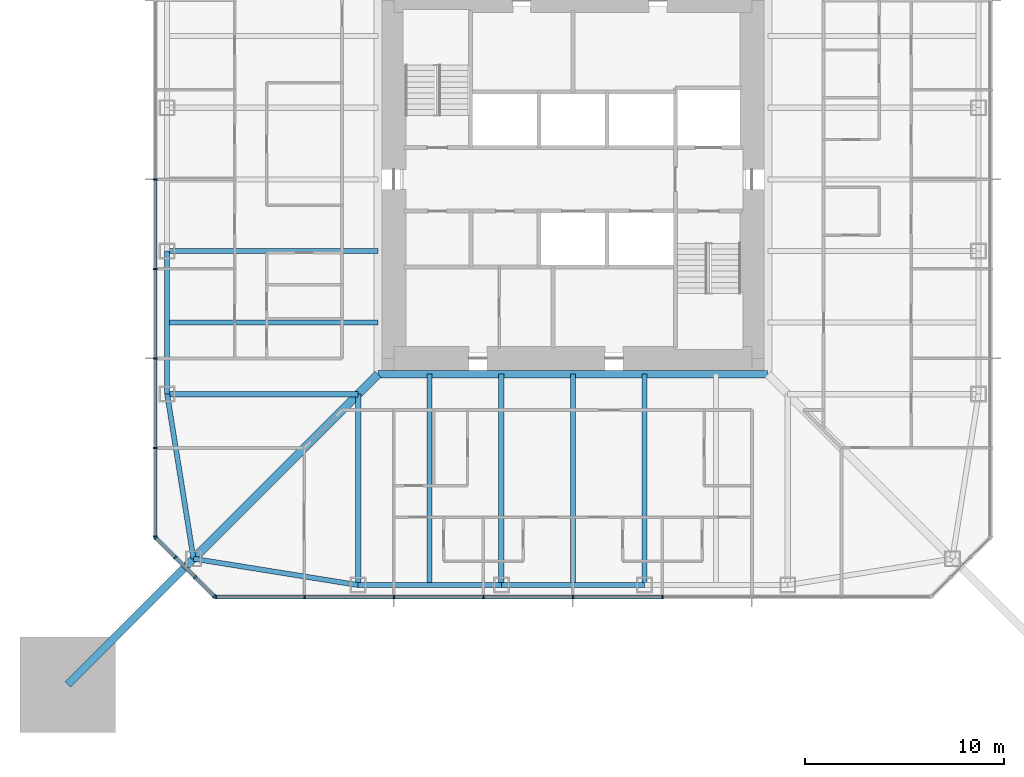
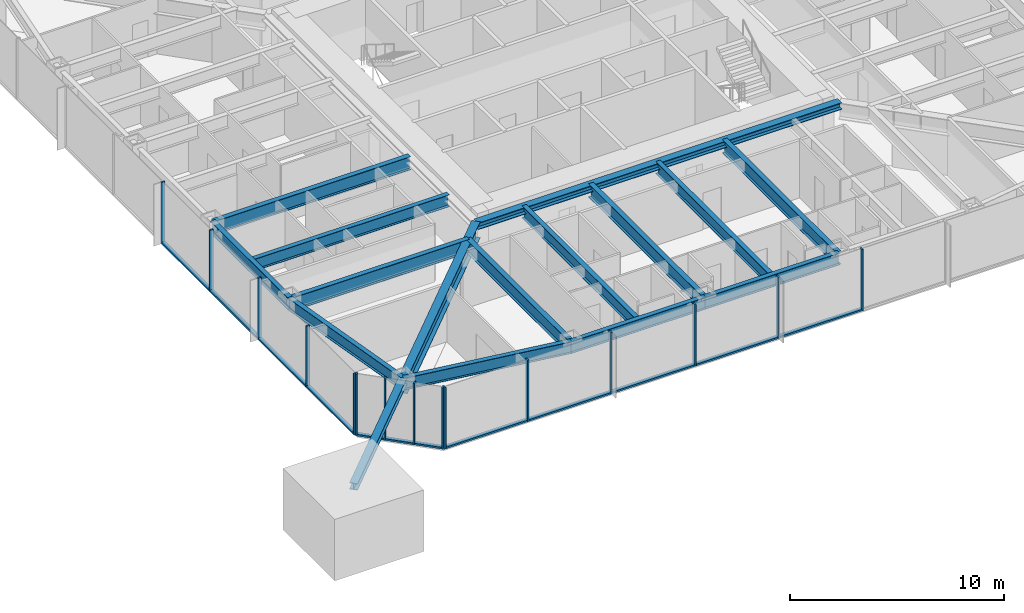
# One storey, part 3 of 25: 28 members, 15 beams, 3 elements without a shape of their own.
"""IFC4 building model written with IfcOpenShell, lengths in metres."""

from ifc_helpers import new_model, si_unit, direction, frame, origin, origin_2d, place, context, subcontext, project, spatial, rectangle, i_section, extrude, material, material_profile, profile_set, type_object, element, aggregate, save


model = new_model("IFC4")

# Units and contexts
model_context = context("Model", 3, precision=1e-05, world=origin(), true_north=direction((0.0, 1.0)))
body_context = subcontext(model_context, "Body", "Model", "MODEL_VIEW")
ifc_project = project(units=[si_unit("LENGTHUNIT", "METRE"), si_unit("AREAUNIT", "SQUARE_METRE"), si_unit("VOLUMEUNIT", "CUBIC_METRE"), si_unit("PLANEANGLEUNIT", "RADIAN"), si_unit("MASSUNIT", "GRAM", prefix="KILO")], contexts=[model_context])

# Site, building, storey
site_placement = place(None, origin())
site = spatial("IfcSite", under=ifc_project, at=site_placement, CompositionType="ELEMENT")
building_placement = place(site_placement, origin())
building = spatial("IfcBuilding", under=site, at=building_placement, Name="Iwan Alto Co-Living Towers", CompositionType="ELEMENT")
storey_placement = place(building_placement, frame((0.0, 0.0, 101.5)))
storey = spatial("IfcBuildingStorey", under=building, at=storey_placement, Name="L27", CompositionType="ELEMENT", Elevation=101.5)

# Curtain wall, members
ifc_material_1 = material(Name="Bronze aluminium unitised frame", Category="aluminium")
curtain_wall_type_1 = type_object("IfcCurtainWallType", Name="CURTAIN WALL CW-A", PredefinedType="NOTDEFINED", material=ifc_material_1)
curtain_wall_1_placement = place(storey_placement, origin())
curtain_wall_1 = element("IfcCurtainWall", 1, at=curtain_wall_1_placement, inside=storey, type_object=curtain_wall_type_1, Name="T1 curtain wall S L27", PredefinedType="NOTDEFINED")
ifc_material_2 = material(Name="Aluminium 6063-T6 bronze anodised", Category="aluminium")
ifc_material_profile_1 = material_profile(ifc_material_2, rectangle(XDim=0.199951171875, YDim=0.080078125, at=origin_2d()), Name="AL 80X200")
ifc_profile_set_1 = profile_set([ifc_material_profile_1], Name="Aluminium 6063-T6 bronze anodised")
member_type_1 = type_object("IfcMemberType", Name="CW-A MULLION 80X200", PredefinedType="MULLION", material=ifc_profile_set_1)
member_1_placement = place(storey_placement, frame((-17.9599609375, -21.0, 0.0), z_axis=(0.0, 0.0, 1.0), x_axis=(0.0, 1.0, 0.0)))
member_1 = element("IfcMember", 2, at=member_1_placement, type_object=member_type_1, Name="CW-A mullion 1", PredefinedType="MULLION", context=body_context, shape_type="SweptSolid", body=[
    extrude(rectangle(XDim=0.199951171875, YDim=0.080078125, at=origin_2d()), origin(), (0.0, 0.0, 1.0), 3.5),
])
member_2_placement = place(storey_placement, frame((-13.5, -21.0, 0.0), z_axis=(0.0, 0.0, 1.0), x_axis=(0.0, 1.0, 0.0)))
member_2 = element("IfcMember", 3, at=member_2_placement, type_object=member_type_1, Name="CW-A mullion 2", PredefinedType="MULLION", context=body_context, shape_type="SweptSolid", body=[
    extrude(rectangle(XDim=0.199951171875, YDim=0.080078125, at=origin_2d()), origin(), (0.0, 0.0, 1.0), 3.5),
])
member_3_placement = place(storey_placement, frame((-9.0, -21.0, 0.0), z_axis=(0.0, 0.0, 1.0), x_axis=(0.0, 1.0, 0.0)))
member_3 = element("IfcMember", 4, at=member_3_placement, type_object=member_type_1, Name="CW-A mullion 3", PredefinedType="MULLION", context=body_context, shape_type="SweptSolid", body=[
    extrude(rectangle(XDim=0.199951171875, YDim=0.080078125, at=origin_2d()), origin(), (0.0, 0.0, 1.0), 3.5),
])
member_4_placement = place(storey_placement, frame((-4.5, -21.0, 0.0), z_axis=(0.0, 0.0, 1.0), x_axis=(0.0, 1.0, 0.0)))
member_4 = element("IfcMember", 5, at=member_4_placement, type_object=member_type_1, Name="CW-A mullion 4", PredefinedType="MULLION", context=body_context, shape_type="SweptSolid", body=[
    extrude(rectangle(XDim=0.199951171875, YDim=0.080078125, at=origin_2d()), origin(), (0.0, 0.0, 1.0), 3.5),
])
member_5_placement = place(storey_placement, frame((0.0, -21.0, 0.0), z_axis=(0.0, 0.0, 1.0), x_axis=(0.0, 1.0, 0.0)))
member_5 = element("IfcMember", 6, at=member_5_placement, type_object=member_type_1, Name="CW-A mullion 5", PredefinedType="MULLION", context=body_context, shape_type="SweptSolid", body=[
    extrude(rectangle(XDim=0.199951171875, YDim=0.080078125, at=origin_2d()), origin(), (0.0, 0.0, 1.0), 3.5),
])
member_6_placement = place(storey_placement, frame((4.5, -21.0, 0.0), z_axis=(0.0, 0.0, 1.0), x_axis=(0.0, 1.0, 0.0)))
member_6 = element("IfcMember", 7, at=member_6_placement, type_object=member_type_1, Name="CW-A mullion 6", PredefinedType="MULLION", context=body_context, shape_type="SweptSolid", body=[
    extrude(rectangle(XDim=0.199951171875, YDim=0.080078125, at=origin_2d()), origin(), (0.0, 0.0, 1.0), 3.5),
])

curtain_wall_2_placement = place(storey_placement, origin())
curtain_wall_2 = element("IfcCurtainWall", 8, at=curtain_wall_2_placement, inside=storey, type_object=curtain_wall_type_1, Name="T1 curtain wall W L27", PredefinedType="NOTDEFINED")
member_7_placement = place(storey_placement, frame((-21.0, 0.0, 0.0), z_axis=(0.0, 0.0, 1.0), x_axis=(1.0, 0.0, 0.0)))
member_7 = element("IfcMember", 9, at=member_7_placement, type_object=member_type_1, Name="CW-A mullion 5", PredefinedType="MULLION", context=body_context, shape_type="SweptSolid", body=[
    extrude(rectangle(XDim=0.199951171875, YDim=0.080078125, at=origin_2d()), origin(), (0.0, 0.0, 1.0), 3.5),
])
member_8_placement = place(storey_placement, frame((-21.0, -4.5, 0.0), z_axis=(0.0, 0.0, 1.0), x_axis=(1.0, 0.0, 0.0)))
member_8 = element("IfcMember", 10, at=member_8_placement, type_object=member_type_1, Name="CW-A mullion 6", PredefinedType="MULLION", context=body_context, shape_type="SweptSolid", body=[
    extrude(rectangle(XDim=0.199951171875, YDim=0.080078125, at=origin_2d()), origin(), (0.0, 0.0, 1.0), 3.5),
])
member_9_placement = place(storey_placement, frame((-21.0, -9.0, 0.0), z_axis=(0.0, 0.0, 1.0), x_axis=(1.0, 0.0, 0.0)))
member_9 = element("IfcMember", 11, at=member_9_placement, type_object=member_type_1, Name="CW-A mullion 7", PredefinedType="MULLION", context=body_context, shape_type="SweptSolid", body=[
    extrude(rectangle(XDim=0.199951171875, YDim=0.080078125, at=origin_2d()), origin(), (0.0, 0.0, 1.0), 3.5),
])
member_10_placement = place(storey_placement, frame((-21.0, -13.5, 0.0), z_axis=(0.0, 0.0, 1.0), x_axis=(1.0, 0.0, 0.0)))
member_10 = element("IfcMember", 12, at=member_10_placement, type_object=member_type_1, Name="CW-A mullion 8", PredefinedType="MULLION", context=body_context, shape_type="SweptSolid", body=[
    extrude(rectangle(XDim=0.199951171875, YDim=0.080078125, at=origin_2d()), origin(), (0.0, 0.0, 1.0), 3.5),
])
member_11_placement = place(storey_placement, frame((-21.0, -17.9599609375, 0.0), z_axis=(0.0, 0.0, 1.0), x_axis=(1.0, 0.0, 0.0)))
member_11 = element("IfcMember", 13, at=member_11_placement, type_object=member_type_1, Name="CW-A mullion 9", PredefinedType="MULLION", context=body_context, shape_type="SweptSolid", body=[
    extrude(rectangle(XDim=0.199951171875, YDim=0.080078125, at=origin_2d()), origin(), (0.0, 0.0, 1.0), 3.5),
])

# Member
ifc_material_3 = material(Name="Aluminium 6063-T6 bronze anodised", Category="aluminium")
ifc_material_profile_2 = material_profile(ifc_material_3, rectangle(XDim=0.199951171875, YDim=0.10009765625, at=origin_2d()), Name="AL 200X100")
ifc_profile_set_2 = profile_set([ifc_material_profile_2], Name="Aluminium 6063-T6 bronze anodised")
member_type_2 = type_object("IfcMemberType", Name="CW-A TRANSOM 200X100", PredefinedType="USERDEFINED", material=ifc_profile_set_2)
member_12_placement = place(storey_placement, frame((-17.919921875, -21.0, 0.050048828125), z_axis=(1.0, 0.0, 0.0), x_axis=(0.0, 1.0, 0.0)))
member_12 = element("IfcMember", 14, at=member_12_placement, type_object=member_type_2, Name="CW-A transom 1.1", ObjectType="TRANSOM", PredefinedType="USERDEFINED", context=body_context, shape_type="SweptSolid", body=[
    extrude(rectangle(XDim=0.199951171875, YDim=0.10009765625, at=origin_2d()), origin(), (0.0, 0.0, 1.0), 4.3798828125),
])

member_13_placement = place(storey_placement, frame((-13.4599609375, -21.0, 0.050048828125), z_axis=(1.0, 0.0, 0.0), x_axis=(0.0, 1.0, 0.0)))
member_13 = element("IfcMember", 15, at=member_13_placement, type_object=member_type_2, Name="CW-A transom 2.1", ObjectType="TRANSOM", PredefinedType="USERDEFINED", context=body_context, shape_type="SweptSolid", body=[
    extrude(rectangle(XDim=0.199951171875, YDim=0.10009765625, at=origin_2d()), origin(), (0.0, 0.0, 1.0), 4.419921875),
])

member_14_placement = place(storey_placement, frame((-8.9599609375, -21.0, 0.050048828125), z_axis=(1.0, 0.0, 0.0), x_axis=(0.0, 1.0, 0.0)))
member_14 = element("IfcMember", 16, at=member_14_placement, type_object=member_type_2, Name="CW-A transom 3.1", ObjectType="TRANSOM", PredefinedType="USERDEFINED", context=body_context, shape_type="SweptSolid", body=[
    extrude(rectangle(XDim=0.199951171875, YDim=0.10009765625, at=origin_2d()), origin(), (0.0, 0.0, 1.0), 4.419921875),
])

member_15_placement = place(storey_placement, frame((-4.4599609375, -21.0, 0.050048828125), z_axis=(1.0, 0.0, 0.0), x_axis=(0.0, 1.0, 0.0)))
member_15 = element("IfcMember", 17, at=member_15_placement, type_object=member_type_2, Name="CW-A transom 4.1", ObjectType="TRANSOM", PredefinedType="USERDEFINED", context=body_context, shape_type="SweptSolid", body=[
    extrude(rectangle(XDim=0.199951171875, YDim=0.10009765625, at=origin_2d()), origin(), (0.0, 0.0, 1.0), 4.419921875),
])

member_16_placement = place(storey_placement, frame((0.0400390625, -21.0, 0.050048828125), z_axis=(1.0, 0.0, 0.0), x_axis=(0.0, 1.0, 0.0)))
member_16 = element("IfcMember", 18, at=member_16_placement, type_object=member_type_2, Name="CW-A transom 5.1", ObjectType="TRANSOM", PredefinedType="USERDEFINED", context=body_context, shape_type="SweptSolid", body=[
    extrude(rectangle(XDim=0.199951171875, YDim=0.10009765625, at=origin_2d()), origin(), (0.0, 0.0, 1.0), 4.419921875),
])

aggregate(curtain_wall_1, [member_1, member_2, member_3, member_4, member_5, member_6, member_12, member_13, member_14, member_15, member_16])

member_17_placement = place(storey_placement, frame((-21.0, -0.0400390625, 0.050048828125), z_axis=(0.0, -1.0, 0.0), x_axis=(1.0, 0.0, 0.0)))
member_17 = element("IfcMember", 19, at=member_17_placement, type_object=member_type_2, Name="CW-A transom 5.1", ObjectType="TRANSOM", PredefinedType="USERDEFINED", context=body_context, shape_type="SweptSolid", body=[
    extrude(rectangle(XDim=0.199951171875, YDim=0.10009765625, at=origin_2d()), origin(), (0.0, 0.0, 1.0), 4.419921875),
])

member_18_placement = place(storey_placement, frame((-21.0, -4.5400390625, 0.050048828125), z_axis=(0.0, -1.0, 0.0), x_axis=(1.0, 0.0, 0.0)))
member_18 = element("IfcMember", 20, at=member_18_placement, type_object=member_type_2, Name="CW-A transom 6.1", ObjectType="TRANSOM", PredefinedType="USERDEFINED", context=body_context, shape_type="SweptSolid", body=[
    extrude(rectangle(XDim=0.199951171875, YDim=0.10009765625, at=origin_2d()), origin(), (0.0, 0.0, 1.0), 4.419921875),
])

member_19_placement = place(storey_placement, frame((-21.0, -9.0400390625, 0.050048828125), z_axis=(0.0, -1.0, 0.0), x_axis=(1.0, 0.0, 0.0)))
member_19 = element("IfcMember", 21, at=member_19_placement, type_object=member_type_2, Name="CW-A transom 7.1", ObjectType="TRANSOM", PredefinedType="USERDEFINED", context=body_context, shape_type="SweptSolid", body=[
    extrude(rectangle(XDim=0.199951171875, YDim=0.10009765625, at=origin_2d()), origin(), (0.0, 0.0, 1.0), 4.419921875),
])

member_20_placement = place(storey_placement, frame((-21.0, -13.5400390625, 0.050048828125), z_axis=(0.0, -1.0, 0.0), x_axis=(1.0, 0.0, 0.0)))
member_20 = element("IfcMember", 22, at=member_20_placement, type_object=member_type_2, Name="CW-A transom 8.1", ObjectType="TRANSOM", PredefinedType="USERDEFINED", context=body_context, shape_type="SweptSolid", body=[
    extrude(rectangle(XDim=0.199951171875, YDim=0.10009765625, at=origin_2d()), origin(), (0.0, 0.0, 1.0), 4.3798828125),
])

aggregate(curtain_wall_2, [member_7, member_8, member_9, member_10, member_11, member_17, member_18, member_19, member_20])

# Curtain wall, members
ifc_material_4 = material(Name="Bronze aluminium unitised frame", Category="aluminium")
curtain_wall_type_2 = type_object("IfcCurtainWallType", Name="CURTAIN WALL CW-B", PredefinedType="NOTDEFINED", material=ifc_material_4)
curtain_wall_3_placement = place(storey_placement, origin())
curtain_wall_3 = element("IfcCurtainWall", 23, at=curtain_wall_3_placement, inside=storey, type_object=curtain_wall_type_2, Name="T1 chamfer curtain wall SW L27", PredefinedType="NOTDEFINED")
ifc_material_5 = material(Name="Aluminium 6063-T6 bronze anodised", Category="aluminium")
ifc_material_profile_3 = material_profile(ifc_material_5, rectangle(XDim=0.199951171875, YDim=0.080078125, at=origin_2d()), Name="AL 80X200")
ifc_profile_set_3 = profile_set([ifc_material_profile_3], Name="Aluminium 6063-T6 bronze anodised")
member_type_3 = type_object("IfcMemberType", Name="CW-B MULLION 80X200", PredefinedType="MULLION", material=ifc_profile_set_3)
member_21_placement = place(storey_placement, frame((-20.9716796875, -18.0283203125, 0.0), z_axis=(0.0, 0.0, 1.0), x_axis=(0.707106781187, 0.707106781187, 0.0)))
member_21 = element("IfcMember", 24, at=member_21_placement, type_object=member_type_3, Name="CW-B mullion 1", PredefinedType="MULLION", context=body_context, shape_type="SweptSolid", body=[
    extrude(rectangle(XDim=0.199951171875, YDim=0.080078125, at=origin_2d()), origin(), (0.0, 0.0, 1.0), 3.5),
])
member_22_placement = place(storey_placement, frame((-20.0, -19.0, 0.0), z_axis=(0.0, 0.0, 1.0), x_axis=(0.707106781187, 0.707106781187, 0.0)))
member_22 = element("IfcMember", 25, at=member_22_placement, type_object=member_type_3, Name="CW-B mullion 2", PredefinedType="MULLION", context=body_context, shape_type="SweptSolid", body=[
    extrude(rectangle(XDim=0.199951171875, YDim=0.080078125, at=origin_2d()), origin(), (0.0, 0.0, 1.0), 3.5),
])
member_23_placement = place(storey_placement, frame((-19.0, -20.0, 0.0), z_axis=(0.0, 0.0, 1.0), x_axis=(0.707106781187, 0.707106781187, 0.0)))
member_23 = element("IfcMember", 26, at=member_23_placement, type_object=member_type_3, Name="CW-B mullion 3", PredefinedType="MULLION", context=body_context, shape_type="SweptSolid", body=[
    extrude(rectangle(XDim=0.199951171875, YDim=0.080078125, at=origin_2d()), origin(), (0.0, 0.0, 1.0), 3.5),
])
member_24_placement = place(storey_placement, frame((-18.0283203125, -20.9716796875, 0.0), z_axis=(0.0, 0.0, 1.0), x_axis=(0.707106781187, 0.707106781187, 0.0)))
member_24 = element("IfcMember", 27, at=member_24_placement, type_object=member_type_3, Name="CW-B mullion 4", PredefinedType="MULLION", context=body_context, shape_type="SweptSolid", body=[
    extrude(rectangle(XDim=0.199951171875, YDim=0.080078125, at=origin_2d()), origin(), (0.0, 0.0, 1.0), 3.5),
])
ifc_material_6 = material(Name="Aluminium 6063-T6 bronze anodised", Category="aluminium")
ifc_material_profile_4 = material_profile(ifc_material_6, rectangle(XDim=0.199951171875, YDim=0.10009765625, at=origin_2d()), Name="AL 200X100")
ifc_profile_set_4 = profile_set([ifc_material_profile_4], Name="Aluminium 6063-T6 bronze anodised")
member_type_4 = type_object("IfcMemberType", Name="CW-B TRANSOM 200X100", PredefinedType="USERDEFINED", material=ifc_profile_set_4)
member_25_placement = place(storey_placement, frame((-20.943359375, -18.056640625, 0.050048828125), z_axis=(0.707106781187, -0.707106781187, 0.0), x_axis=(0.707106781187, 0.707106781187, 0.0)))
member_25 = element("IfcMember", 28, at=member_25_placement, type_object=member_type_4, Name="CW-B transom 1.1", ObjectType="TRANSOM", PredefinedType="USERDEFINED", context=body_context, shape_type="SweptSolid", body=[
    extrude(rectangle(XDim=0.199951171875, YDim=0.10009765625, at=origin_2d()), origin(), (0.0, 0.0, 1.0), 1.2939453125),
])
member_26_placement = place(storey_placement, frame((-19.9716796875, -19.0283203125, 0.050048828125), z_axis=(0.707106781187, -0.707106781187, 0.0), x_axis=(0.707106781187, 0.707106781187, 0.0)))
member_26 = element("IfcMember", 29, at=member_26_placement, type_object=member_type_4, Name="CW-B transom 2.1", ObjectType="TRANSOM", PredefinedType="USERDEFINED", context=body_context, shape_type="SweptSolid", body=[
    extrude(rectangle(XDim=0.199951171875, YDim=0.10009765625, at=origin_2d()), origin(), (0.0, 0.0, 1.0), 1.334228515625),
])
member_27_placement = place(storey_placement, frame((-18.9716796875, -20.0283203125, 0.050048828125), z_axis=(0.707106781187, -0.707106781187, 0.0), x_axis=(0.707106781187, 0.707106781187, 0.0)))
member_27 = element("IfcMember", 30, at=member_27_placement, type_object=member_type_4, Name="CW-B transom 3.1", ObjectType="TRANSOM", PredefinedType="USERDEFINED", context=body_context, shape_type="SweptSolid", body=[
    extrude(rectangle(XDim=0.199951171875, YDim=0.10009765625, at=origin_2d()), origin(), (0.0, 0.0, 1.0), 1.2939453125),
])
aggregate(curtain_wall_3, [member_21, member_22, member_23, member_24, member_25, member_26, member_27])

# Beams
ifc_material_7 = material(Name="Steel ASTM A992 Gr 50", Category="steel")
ifc_material_profile_5 = material_profile(ifc_material_7, i_section(OverallWidth=0.398681640625, OverallDepth=0.385986328125, WebThickness=0.02099609375, FlangeThickness=0.033203125, at=origin_2d()), Name="W14X176")
ifc_profile_set_5 = profile_set([ifc_material_profile_5], Name="Steel ASTM A992 Gr 50")
beam_type_1 = type_object("IfcBeamType", Name="T1 CORE LEDGER BEAM W14X176", PredefinedType="BEAM", material=ifc_profile_set_5)
beam_1_placement = place(storey_placement, frame((-9.79931640625, -9.79931640625, 3.076904296875), z_axis=(1.0, 0.0, 0.0), x_axis=(0.0, 1.0, 0.0)))
element("IfcBeam", 31, at=beam_1_placement, inside=storey, type_object=beam_type_1, Name="T1 core ledger beam S L28", PredefinedType="BEAM", context=body_context, shape_type="SweptSolid", body=[
    extrude(i_section(OverallWidth=0.398681640625, OverallDepth=0.385986328125, WebThickness=0.02099609375, FlangeThickness=0.033203125, at=origin_2d()), origin(), (0.0, 0.0, 1.0), 19.5986328125),
])
ifc_material_8 = material(Name="Steel ASTM A992 Gr 50", Category="steel")
ifc_material_profile_6 = material_profile(ifc_material_8, i_section(OverallWidth=0.419189453125, OverallDepth=0.927001953125, WebThickness=0.019287109375, FlangeThickness=0.031982421875, at=origin_2d()), Name="W36X231")
ifc_profile_set_6 = profile_set([ifc_material_profile_6], Name="Steel ASTM A992 Gr 50")
beam_type_2 = type_object("IfcBeamType", Name="T1 CORNER GIRDER W36X231", PredefinedType="BEAM", material=ifc_profile_set_6)
beam_2_placement = place(storey_placement, frame((-19.07568359375, -19.07568359375, 2.806396484375), z_axis=(0.707106781187, 0.707106781187, 0.0), x_axis=(-0.707106781187, 0.707106781187, 0.0)))
element("IfcBeam", 32, at=beam_2_placement, inside=storey, type_object=beam_type_2, Name="T1 corner girder CSW L28", PredefinedType="BEAM", context=body_context, shape_type="SweptSolid", body=[
    extrude(i_section(OverallWidth=0.419189453125, OverallDepth=0.927001953125, WebThickness=0.019287109375, FlangeThickness=0.031982421875, at=origin_2d()), origin(), (0.0, 0.0, 1.0), 13.11865234375),
])
ifc_material_9 = material(Name="Steel ASTM A992 Gr 50", Category="steel")
ifc_material_profile_7 = material_profile(ifc_material_9, i_section(OverallWidth=0.25390625, OverallDepth=0.683349609375, WebThickness=0.012451171875, FlangeThickness=0.018798828125, at=origin_2d()), Name="W27X94")
ifc_profile_set_7 = profile_set([ifc_material_profile_7], Name="Steel ASTM A992 Gr 50")
beam_type_3 = type_object("IfcBeamType", Name="T1 EDGE BEAM W27X94", PredefinedType="BEAM", material=ifc_profile_set_7)
beam_3_placement = place(storey_placement, frame((-19.07568359375, -19.07568359375, 2.928466796875), z_axis=(0.987438450439, -0.158004134737, 0.0), x_axis=(0.158004134737, 0.987438450439, 0.0)))
element("IfcBeam", 33, at=beam_3_placement, inside=storey, type_object=beam_type_3, Name="T1 edge beam CSW L28", PredefinedType="BEAM", context=body_context, shape_type="SweptSolid", body=[
    extrude(i_section(OverallWidth=0.25390625, OverallDepth=0.683349609375, WebThickness=0.012451171875, FlangeThickness=0.018798828125, at=origin_2d()), origin(), (0.0, 0.0, 1.0), 8.380859375),
])
beam_4_placement = place(storey_placement, frame((-10.800048828125, -20.39990234375, 2.928466796875), z_axis=(1.0, 0.0, 0.0), x_axis=(0.0, 1.0, 0.0)))
element("IfcBeam", 34, at=beam_4_placement, inside=storey, type_object=beam_type_3, Name="T1 edge beam S1 L28", PredefinedType="BEAM", context=body_context, shape_type="SweptSolid", body=[
    extrude(i_section(OverallWidth=0.25390625, OverallDepth=0.683349609375, WebThickness=0.012451171875, FlangeThickness=0.018798828125, at=origin_2d()), origin(), (0.0, 0.0, 1.0), 7.199951171875),
])
beam_5_placement = place(storey_placement, frame((-3.60009765625, -20.39990234375, 2.928466796875), z_axis=(1.0, 0.0, 0.0), x_axis=(0.0, 1.0, 0.0)))
element("IfcBeam", 35, at=beam_5_placement, inside=storey, type_object=beam_type_3, Name="T1 edge beam S2 L28", PredefinedType="BEAM", context=body_context, shape_type="SweptSolid", body=[
    extrude(i_section(OverallWidth=0.25390625, OverallDepth=0.683349609375, WebThickness=0.012451171875, FlangeThickness=0.018798828125, at=origin_2d()), origin(), (0.0, 0.0, 1.0), 7.2001953125),
])
beam_6_placement = place(storey_placement, frame((-20.39990234375, -3.60009765625, 2.928466796875), z_axis=(0.0, -1.0, 0.0), x_axis=(1.0, 0.0, 0.0)))
element("IfcBeam", 36, at=beam_6_placement, inside=storey, type_object=beam_type_3, Name="T1 edge beam W3 L28", PredefinedType="BEAM", context=body_context, shape_type="SweptSolid", body=[
    extrude(i_section(OverallWidth=0.25390625, OverallDepth=0.683349609375, WebThickness=0.012451171875, FlangeThickness=0.018798828125, at=origin_2d()), origin(), (0.0, 0.0, 1.0), 7.199951171875),
])
beam_7_placement = place(storey_placement, frame((-20.39990234375, -10.800048828125, 2.928466796875), z_axis=(0.158004134737, -0.987438450439, 0.0), x_axis=(0.987438450439, 0.158004134737, 0.0)))
element("IfcBeam", 37, at=beam_7_placement, inside=storey, type_object=beam_type_3, Name="T1 edge beam W4 L28", PredefinedType="BEAM", context=body_context, shape_type="SweptSolid", body=[
    extrude(i_section(OverallWidth=0.25390625, OverallDepth=0.683349609375, WebThickness=0.012451171875, FlangeThickness=0.018798828125, at=origin_2d()), origin(), (0.0, 0.0, 1.0), 8.380859375),
])

# Member
ifc_material_10 = material(Name="Steel ASTM A992 Gr 50", Category="steel")
ifc_material_profile_8 = material_profile(ifc_material_10, i_section(OverallWidth=0.393798828125, OverallDepth=0.3759765625, WebThickness=0.017333984375, FlangeThickness=0.027587890625, at=origin_2d()), Name="W14X145")
ifc_profile_set_8 = profile_set([ifc_material_profile_8], Name="Steel ASTM A992 Gr 50")
member_type_5 = type_object("IfcMemberType", Name="T1 MEGA COLUMN FLOOR TIE W14X145", PredefinedType="STRUT", material=ifc_profile_set_8)
member_28_placement = place(storey_placement, frame((-25.39990234375, -25.39990234375, 3.08203125), z_axis=(0.707106781187, 0.707106781187, 0.0), x_axis=(-0.707106781187, 0.707106781187, 0.0)))
element("IfcMember", 38, at=member_28_placement, inside=storey, type_object=member_type_5, Name="T1 mega column floor tie SW L28", PredefinedType="STRUT", context=body_context, shape_type="SweptSolid", body=[
    extrude(i_section(OverallWidth=0.393798828125, OverallDepth=0.3759765625, WebThickness=0.017333984375, FlangeThickness=0.027587890625, at=origin_2d()), origin(), (0.0, 0.0, 1.0), 8.94384765625),
])

# Beams
ifc_material_11 = material(Name="Steel ASTM A992 Gr 50", Category="steel")
ifc_material_profile_9 = material_profile(ifc_material_11, i_section(OverallWidth=0.2666015625, OverallDepth=0.761962890625, WebThickness=0.014404296875, FlangeThickness=0.021484375, at=origin_2d()), Name="W30X116")
ifc_profile_set_9 = profile_set([ifc_material_profile_9], Name="Steel ASTM A992 Gr 50")
beam_type_4 = type_object("IfcBeamType", Name="T1 RADIAL BEAM W30X116", PredefinedType="BEAM", material=ifc_profile_set_9)
beam_8_placement = place(storey_placement, frame((-10.800048828125, -20.39990234375, 2.888916015625), z_axis=(0.0, 1.0, 0.0), x_axis=(-1.0, 0.0, 0.0)))
element("IfcBeam", 39, at=beam_8_placement, inside=storey, type_object=beam_type_4, Name="T1 radial beam S1 L28", PredefinedType="BEAM", context=body_context, shape_type="SweptSolid", body=[
    extrude(i_section(OverallWidth=0.2666015625, OverallDepth=0.761962890625, WebThickness=0.014404296875, FlangeThickness=0.021484375, at=origin_2d()), origin(), (0.0, 0.0, 1.0), 9.599853515625),
])
for number, where, z_axis, x_axis, name in (
    (40, (-3.60009765625, -20.39990234375, 2.888916015625), (0.0, 1.0, 0.0), (-1.0, 0.0, 0.0), "T1 radial beam S2 L28"),
    (41, (3.60009765625, -20.39990234375, 2.888916015625), (0.0, 1.0, 0.0), (-1.0, 0.0, 0.0), "T1 radial beam S3 L28"),
    (42, (-20.39990234375, -3.60009765625, 2.888916015625), (1.0, 0.0, 0.0), (0.0, 1.0, 0.0), "T1 radial beam W3 L28"),
):
    element("IfcBeam", number, at=place(storey_placement, frame(where, z_axis=z_axis, x_axis=x_axis)), inside=storey, type_object=beam_type_4, Name=name, PredefinedType="BEAM", context=body_context, shape_type="SweptSolid", body=[
        extrude(i_section(OverallWidth=0.2666015625, OverallDepth=0.761962890625, WebThickness=0.014404296875, FlangeThickness=0.021484375, at=origin_2d()), origin(), (0.0, 0.0, 1.0), 10.6005859375),
    ])
beam_9_placement = place(storey_placement, frame((-20.39990234375, -10.800048828125, 2.888916015625), z_axis=(1.0, 0.0, 0.0), x_axis=(0.0, 1.0, 0.0)))
element("IfcBeam", 43, at=beam_9_placement, inside=storey, type_object=beam_type_4, Name="T1 radial beam W4 L28", PredefinedType="BEAM", context=body_context, shape_type="SweptSolid", body=[
    extrude(i_section(OverallWidth=0.2666015625, OverallDepth=0.761962890625, WebThickness=0.014404296875, FlangeThickness=0.021484375, at=origin_2d()), origin(), (0.0, 0.0, 1.0), 9.599853515625),
])
ifc_material_12 = material(Name="Steel ASTM A992 Gr 50", Category="steel")
ifc_material_profile_10 = material_profile(ifc_material_12, i_section(OverallWidth=0.25390625, OverallDepth=0.683349609375, WebThickness=0.012451171875, FlangeThickness=0.018798828125, at=origin_2d()), Name="W27X94")
ifc_profile_set_10 = profile_set([ifc_material_profile_10], Name="Steel ASTM A992 Gr 50")
beam_type_5 = type_object("IfcBeamType", Name="T1 SECONDARY BEAM W27X94", PredefinedType="JOIST", material=ifc_profile_set_10)
for number, where, z_axis, x_axis, name in (
    (44, (-7.199951171875, -20.39990234375, 2.928466796875), (0.0, 1.0, 0.0), (-1.0, 0.0, 0.0), "T1 secondary beam S1 L28"),
    (45, (0.0, -20.39990234375, 2.928466796875), (0.0, 1.0, 0.0), (-1.0, 0.0, 0.0), "T1 secondary beam S2 L28"),
    (46, (-20.39990234375, -7.199951171875, 2.928466796875), (1.0, 0.0, 0.0), (0.0, 1.0, 0.0), "T1 secondary beam W3 L28"),
):
    element("IfcBeam", number, at=place(storey_placement, frame(where, z_axis=z_axis, x_axis=x_axis)), inside=storey, type_object=beam_type_5, Name=name, PredefinedType="JOIST", context=body_context, shape_type="SweptSolid", body=[
        extrude(i_section(OverallWidth=0.25390625, OverallDepth=0.683349609375, WebThickness=0.012451171875, FlangeThickness=0.018798828125, at=origin_2d()), origin(), (0.0, 0.0, 1.0), 10.6005859375),
    ])

save(model, "model.ifc")
